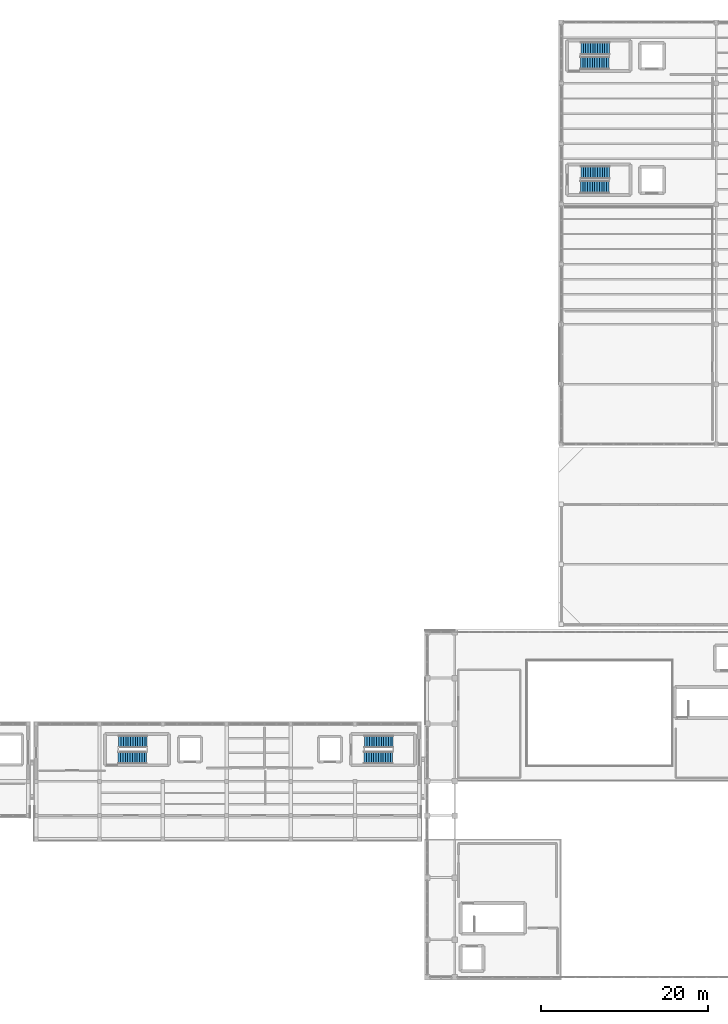
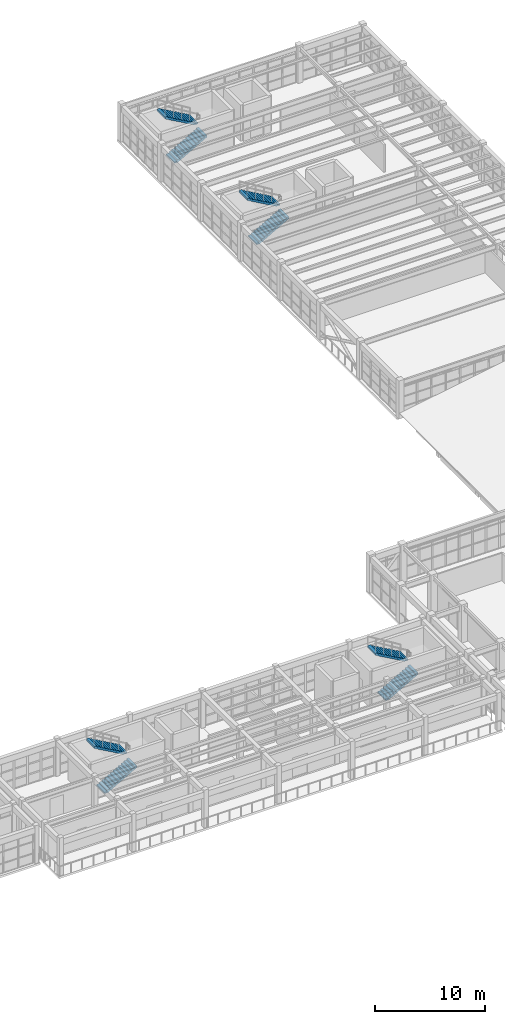
# One storey, part 58 of 66: 8 stair flights, 4 elements without a shape of their own.
"""IFC4 building model written with IfcOpenShell, lengths in metres."""

import ifcopenshell
import ifcopenshell.guid

model = None  # the IFC model being written
_history = None  # IfcOwnerHistory: only IFC2X3 demands one
_inside = {}  # id of a spatial element -> (the spatial element, [elements in it])
_under = {}  # id of a project, library or spatial element -> (it, [spatial elements below it])
_declared = {}  # id of a project -> (the project, [libraries it declares])
_typed = {}  # id of a type object -> (the type object, [elements of that type])
_made_of = {}  # id of a material, layer set ... -> (it, [elements and type objects made of it])


def new_model(schema):
    """Start an empty IFC model of exactly this schema.

    Asked for "IFC4X3", IfcOpenShell would pick the latest addendum, in which some entities
    have other attributes; the version numbers below select the first issue.
    IFC2X3 requires an IfcOwnerHistory on every rooted entity: one is made here for all.
    """
    global model, _history
    if schema == "IFC4X3":
        model = ifcopenshell.file(schema_version=(4, 3, 0, 0))
    else:
        model = ifcopenshell.file(schema=schema)
    _inside.clear()
    _under.clear()
    _declared.clear()
    _typed.clear()
    _made_of.clear()
    _history = None
    if model.schema == "IFC2X3":
        org = make("IfcOrganization", Name="unknown")
        user = make(
            "IfcPersonAndOrganization",
            ThePerson=make("IfcPerson", FamilyName="unknown"),
            TheOrganization=org,
        )
        app = make(
            "IfcApplication",
            ApplicationDeveloper=org,
            Version="unknown",
            ApplicationFullName="unknown",
            ApplicationIdentifier="unknown",
        )
        _history = make(
            "IfcOwnerHistory",
            OwningUser=user,
            OwningApplication=app,
            ChangeAction="ADDED",
            CreationDate=0,
        )
    return model


def make(cls, **values):
    """One entity of the class cls with the attributes given. An attribute that is None is left unset."""
    return model.create_entity(
        cls, **{name: value for name, value in values.items() if value is not None}
    )


def rooted(cls, **values):
    """An entity with a GlobalId (a new one), such as an element, a storey or a relation."""
    return make(cls, GlobalId=ifcopenshell.guid.new(), OwnerHistory=_history, **values)


def si_unit(unit_type, name, prefix=None):
    """IfcSIUnit, for example si_unit("LENGTHUNIT", "METRE", prefix="MILLI")."""
    return make("IfcSIUnit", UnitType=unit_type, Prefix=prefix, Name=name)


def assignment(units):
    """IfcUnitAssignment: the units of a project."""
    return None if units is None else make("IfcUnitAssignment", Units=units)


def point(xyz):
    """IfcCartesianPoint."""
    return None if xyz is None else make("IfcCartesianPoint", Coordinates=xyz)


def direction(xyz):
    """IfcDirection."""
    return None if xyz is None else make("IfcDirection", DirectionRatios=xyz)


def frame(location, z_axis=None, x_axis=None):
    """IfcAxis2Placement3D, a coordinate frame: its origin and axes. An axis left out is left unset."""
    return make(
        "IfcAxis2Placement3D",
        Location=point(location),
        Axis=direction(z_axis),
        RefDirection=direction(x_axis),
    )


def origin():
    """The frame at (0, 0, 0) with its axes left unset."""
    return frame((0.0, 0.0, 0.0))


def place(relative_to, where):
    """IfcLocalPlacement: puts the frame where relative to a parent placement (None: the world)."""
    return make(
        "IfcLocalPlacement", PlacementRelTo=relative_to, RelativePlacement=where
    )


def context(
    kind, dimensions, precision=None, world=None, true_north=None, identifier=None
):
    """IfcGeometricRepresentationContext, for example the 3D "Model" context."""
    return make(
        "IfcGeometricRepresentationContext",
        ContextIdentifier=identifier,
        ContextType=kind,
        CoordinateSpaceDimension=dimensions,
        Precision=precision,
        WorldCoordinateSystem=world,
        TrueNorth=true_north,
    )


def subcontext(parent, identifier, kind, view, scale=None):
    """IfcGeometricRepresentationSubContext, for example "Body" below "Model"."""
    return make(
        "IfcGeometricRepresentationSubContext",
        ContextIdentifier=identifier,
        ContextType=kind,
        ParentContext=parent,
        TargetScale=scale,
        TargetView=view,
    )


def project(units=None, contexts=None):
    """IfcProject with its units and contexts."""
    return rooted(
        "IfcProject",
        Name="project",
        RepresentationContexts=contexts,
        UnitsInContext=assignment(units),
    )


def spatial(cls, under=None, at=None, **own):
    """A site, building, storey or space (cls), placed at a placement, below another one or the project."""
    s = rooted(cls, ObjectPlacement=at, **own)
    if under is not None:
        _under.setdefault(under.id(), (under, []))[1].append(s)
    return s


def polyline(points):
    """IfcPolyline through the points."""
    return make("IfcPolyline", Points=[point(p) for p in points])


def outline(outer, holes=None, kind="AREA"):
    """IfcArbitraryClosedProfileDef: a profile drawn as a closed curve; with holes, ...WithVoids."""
    if holes is None:
        return make("IfcArbitraryClosedProfileDef", ProfileType=kind, OuterCurve=outer)
    return make(
        "IfcArbitraryProfileDefWithVoids",
        ProfileType=kind,
        OuterCurve=outer,
        InnerCurves=holes,
    )


def extrude(swept, where, along, depth):
    """IfcExtrudedAreaSolid: the profile swept, set in the frame where, extruded along a direction by depth."""
    return make(
        "IfcExtrudedAreaSolid",
        SweptArea=swept,
        Position=where,
        ExtrudedDirection=direction(along),
        Depth=depth,
    )


def shape(context_of_items, identifier, shape_type, items):
    """IfcShapeRepresentation: the items that make up one representation, for example the "Body"."""
    return make(
        "IfcShapeRepresentation",
        ContextOfItems=context_of_items,
        RepresentationIdentifier=identifier,
        RepresentationType=shape_type,
        Items=items,
    )


def material(Name=None, Category=None):
    """IfcMaterial."""
    return make("IfcMaterial", Name=Name, Category=Category)


def made_of(thing, what):
    """Note that an element or type object is made of a material, layer set ...; save() writes the relation."""
    if what is not None:
        _made_of.setdefault(what.id(), (what, []))[1].append(thing)
    return thing


def type_object(cls, material=None, **own):
    """A type object (cls), such as IfcWallType, which elements share."""
    return made_of(rooted(cls, **own), material)


def element(
    cls,
    number,
    at=None,
    inside=None,
    cuts=None,
    type_object=None,
    material=None,
    context=None,
    identifier="Body",
    shape_type=None,
    held_by="IfcProductDefinitionShape",
    body=None,
    shapes=None,
    **own,
):
    """One element of the class cls, such as IfcWall. Its Tag is "e" and its number.

    at: its placement. inside: the storey or other place that contains it. cuts: it is an
    opening in that element (IfcRelVoidsElement). A single representation is given by context,
    identifier, shape_type and body (its items); several are given by shapes. held_by: the class
    of the entity that holds the representations. save() writes the other relations.
    """
    e = rooted(cls, Tag="e%d" % number, ObjectPlacement=at, **own)
    if body is not None:
        shapes = [shape(context, identifier, shape_type, body)]
    if shapes is not None:
        e.Representation = make(held_by, Representations=shapes)
    if inside is not None:
        _inside.setdefault(inside.id(), (inside, []))[1].append(e)
    if cuts is not None:
        rooted(
            "IfcRelVoidsElement", RelatingBuildingElement=cuts, RelatedOpeningElement=e
        )
    if type_object is not None:
        _typed.setdefault(type_object.id(), (type_object, []))[1].append(e)
    return made_of(e, material)


def aggregate(whole, parts):
    """IfcRelAggregates: a whole, such as a stair, and the parts it consists of."""
    return rooted("IfcRelAggregates", RelatingObject=whole, RelatedObjects=parts)


def save(model, path):
    """Write the relations noted so far, then the file.

    IfcRelAggregates (storeys below a building ...), IfcRelContainedInSpatialStructure (elements
    in a storey), IfcRelDefinesByType, IfcRelAssociatesMaterial and IfcRelDeclares: one each for
    every whole, place, type object, material and project.
    """
    for whole, parts in _under.values():
        aggregate(whole, parts)
    for where, things in _inside.values():
        rooted(
            "IfcRelContainedInSpatialStructure",
            RelatedElements=things,
            RelatingStructure=where,
        )
    for kind, things in _typed.values():
        rooted("IfcRelDefinesByType", RelatedObjects=things, RelatingType=kind)
    for what, things in _made_of.values():
        rooted("IfcRelAssociatesMaterial", RelatedObjects=things, RelatingMaterial=what)
    for by, libraries in _declared.values():
        rooted("IfcRelDeclares", RelatingContext=by, RelatedDefinitions=libraries)
    model.write(path)


model = new_model("IFC4")

# Units and contexts
model_context = context("Model", 3, precision=1e-05, world=origin(), true_north=direction((0.0, 1.0)))
body_context = subcontext(model_context, "Body", "Model", "MODEL_VIEW")
ifc_project = project(units=[si_unit("LENGTHUNIT", "METRE"), si_unit("AREAUNIT", "SQUARE_METRE"), si_unit("VOLUMEUNIT", "CUBIC_METRE"), si_unit("PLANEANGLEUNIT", "RADIAN"), si_unit("MASSUNIT", "GRAM", prefix="KILO")], contexts=[model_context])

# Site, building, storey
site_placement = place(None, origin())
site = spatial("IfcSite", under=ifc_project, at=site_placement, CompositionType="ELEMENT")
building_placement = place(site_placement, origin())
building = spatial("IfcBuilding", under=site, at=building_placement, Name="Candilejo Ridge Gondola Terminal", CompositionType="ELEMENT")
storey_placement = place(building_placement, frame((0.0, 0.0, 14.39990234375)))
storey = spatial("IfcBuildingStorey", under=building, at=storey_placement, Name="L03", CompositionType="ELEMENT", Elevation=14.39990234375)

# Stair, stair flights
ifc_material_1 = material(Name="Concrete f'c 35 MPa (C35/45)", Category="concrete")
stair_type_1 = type_object("IfcStairType", Name="STR-STAIR-1450-4200", PredefinedType="HALF_TURN_STAIR", material=ifc_material_1)
stair_1_placement = place(storey_placement, origin())
stair_1 = element("IfcStair", 1, at=stair_1_placement, inside=storey, type_object=stair_type_1, Name="Enclosed fire exit stair ST-V3A-L03", PredefinedType="HALF_TURN_STAIR")
ifc_material_2 = material(Name="Concrete f'c 35 MPa (C35/45)", Category="concrete")
stair_flight_type_1 = type_object("IfcStairFlightType", Name="STR-FLIGHT-CORE-1450", PredefinedType="STRAIGHT", material=ifc_material_2)
stair_flight_1_placement = place(storey_placement, frame((96.85009765625, 32.652587890625, 0.0), z_axis=(0.0, 0.0, 1.0), x_axis=(1.0, 0.0, 0.0)))
stair_flight_1 = element("IfcStairFlight", 2, at=stair_flight_1_placement, type_object=stair_flight_type_1, Name="Stair flight ST-V3A-F07", NumberOfRisers=13, NumberOfTreads=12, PredefinedType="STRAIGHT", RiserHeight=0.16154, TreadLength=0.285, context=body_context, shape_type="SweptSolid", body=[
    extrude(outline(polyline([(0.0, 0.0), (0.0, 0.16162109375), (0.284912109375, 0.16162109375), (0.284912109375, 0.322998046875), (0.570068359375, 0.322998046875), (0.570068359375, 0.484619140625), (0.85498046875, 0.484619140625), (0.85498046875, 0.646240234375), (1.139892578125, 0.646240234375), (1.139892578125, 0.8076171875), (1.425048828125, 0.8076171875), (1.425048828125, 0.96923828125), (1.7099609375, 0.96923828125), (1.7099609375, 1.130859375), (1.9951171875, 1.130859375), (1.9951171875, 1.292236328125), (2.280029296875, 1.292236328125), (2.280029296875, 1.453857421875), (2.56494140625, 1.453857421875), (2.56494140625, 1.615478515625), (2.85009765625, 1.615478515625), (2.85009765625, 1.77685546875), (3.135009765625, 1.77685546875), (3.135009765625, 1.9384765625), (3.419921875, 1.9384765625), (3.419921875, 2.10009765625), (3.419921875, 1.731689453125), (0.364990234375, 0.0), (0.0, 0.0)])), frame((0.0, 0.72509765625, 0.0), z_axis=(0.0, -1.0, 0.0), x_axis=(1.0, 0.0, 0.0)), (0.0, 0.0, 1.0), 1.449951171875),
])
stair_flight_2_placement = place(storey_placement, frame((100.330078125, 34.597412109375, 2.10009765625), z_axis=(0.0, 0.0, 1.0), x_axis=(-1.0, 0.0, 0.0)))
stair_flight_2 = element("IfcStairFlight", 3, at=stair_flight_2_placement, type_object=stair_flight_type_1, Name="Stair flight ST-V3A-F08", NumberOfRisers=13, NumberOfTreads=12, PredefinedType="STRAIGHT", RiserHeight=0.16154, TreadLength=0.285, context=body_context, shape_type="SweptSolid", body=[
    extrude(outline(polyline([(0.0, 0.0), (0.0, 0.16162109375), (0.284912109375, 0.16162109375), (0.284912109375, 0.322998046875), (0.570068359375, 0.322998046875), (0.570068359375, 0.484619140625), (0.85498046875, 0.484619140625), (0.85498046875, 0.646240234375), (1.139892578125, 0.646240234375), (1.139892578125, 0.8076171875), (1.425048828125, 0.8076171875), (1.425048828125, 0.96923828125), (1.7099609375, 0.96923828125), (1.7099609375, 1.130859375), (1.9951171875, 1.130859375), (1.9951171875, 1.292236328125), (2.280029296875, 1.292236328125), (2.280029296875, 1.453857421875), (2.56494140625, 1.453857421875), (2.56494140625, 1.615478515625), (2.85009765625, 1.615478515625), (2.85009765625, 1.77685546875), (3.135009765625, 1.77685546875), (3.135009765625, 1.9384765625), (3.419921875, 1.9384765625), (3.419921875, 2.10009765625), (3.419921875, 1.731689453125), (0.364990234375, 0.0), (0.0, 0.0)])), frame((0.0, 0.72509765625, 0.0), z_axis=(0.0, -1.0, 0.0), x_axis=(1.0, 0.0, 0.0)), (0.0, 0.0, 1.0), 1.449951171875),
])
aggregate(stair_1, [stair_flight_1, stair_flight_2])

stair_2_placement = place(storey_placement, origin())
stair_2 = element("IfcStair", 4, at=stair_2_placement, inside=storey, type_object=stair_type_1, Name="Enclosed fire exit stair ST-V3B-L03", PredefinedType="HALF_TURN_STAIR")
stair_flight_3_placement = place(storey_placement, frame((126.35009765625, 32.652587890625, 0.0), z_axis=(0.0, 0.0, 1.0), x_axis=(1.0, 0.0, 0.0)))
stair_flight_3 = element("IfcStairFlight", 5, at=stair_flight_3_placement, type_object=stair_flight_type_1, Name="Stair flight ST-V3B-F07", NumberOfRisers=13, NumberOfTreads=12, PredefinedType="STRAIGHT", RiserHeight=0.16154, TreadLength=0.285, context=body_context, shape_type="SweptSolid", body=[
    extrude(outline(polyline([(0.0, 0.0), (0.0, 0.16162109375), (0.284912109375, 0.16162109375), (0.284912109375, 0.322998046875), (0.570068359375, 0.322998046875), (0.570068359375, 0.484619140625), (0.85498046875, 0.484619140625), (0.85498046875, 0.646240234375), (1.139892578125, 0.646240234375), (1.139892578125, 0.8076171875), (1.425048828125, 0.8076171875), (1.425048828125, 0.96923828125), (1.7099609375, 0.96923828125), (1.7099609375, 1.130859375), (1.9951171875, 1.130859375), (1.9951171875, 1.292236328125), (2.280029296875, 1.292236328125), (2.280029296875, 1.453857421875), (2.56494140625, 1.453857421875), (2.56494140625, 1.615478515625), (2.85009765625, 1.615478515625), (2.85009765625, 1.77685546875), (3.135009765625, 1.77685546875), (3.135009765625, 1.9384765625), (3.419921875, 1.9384765625), (3.419921875, 2.10009765625), (3.419921875, 1.731689453125), (0.364990234375, 0.0), (0.0, 0.0)])), frame((0.0, 0.72509765625, 0.0), z_axis=(0.0, -1.0, 0.0), x_axis=(1.0, 0.0, 0.0)), (0.0, 0.0, 1.0), 1.449951171875),
])
stair_flight_4_placement = place(storey_placement, frame((129.830078125, 34.597412109375, 2.10009765625), z_axis=(0.0, 0.0, 1.0), x_axis=(-1.0, 0.0, 0.0)))
stair_flight_4 = element("IfcStairFlight", 6, at=stair_flight_4_placement, type_object=stair_flight_type_1, Name="Stair flight ST-V3B-F08", NumberOfRisers=13, NumberOfTreads=12, PredefinedType="STRAIGHT", RiserHeight=0.16154, TreadLength=0.285, context=body_context, shape_type="SweptSolid", body=[
    extrude(outline(polyline([(0.0, 0.0), (0.0, 0.16162109375), (0.284912109375, 0.16162109375), (0.284912109375, 0.322998046875), (0.570068359375, 0.322998046875), (0.570068359375, 0.484619140625), (0.85498046875, 0.484619140625), (0.85498046875, 0.646240234375), (1.139892578125, 0.646240234375), (1.139892578125, 0.8076171875), (1.425048828125, 0.8076171875), (1.425048828125, 0.96923828125), (1.7099609375, 0.96923828125), (1.7099609375, 1.130859375), (1.9951171875, 1.130859375), (1.9951171875, 1.292236328125), (2.280029296875, 1.292236328125), (2.280029296875, 1.453857421875), (2.56494140625, 1.453857421875), (2.56494140625, 1.615478515625), (2.85009765625, 1.615478515625), (2.85009765625, 1.77685546875), (3.135009765625, 1.77685546875), (3.135009765625, 1.9384765625), (3.419921875, 1.9384765625), (3.419921875, 2.10009765625), (3.419921875, 1.731689453125), (0.364990234375, 0.0), (0.0, 0.0)])), frame((0.0, 0.72509765625, 0.0), z_axis=(0.0, -1.0, 0.0), x_axis=(1.0, 0.0, 0.0)), (0.0, 0.0, 1.0), 1.449951171875),
])
aggregate(stair_2, [stair_flight_3, stair_flight_4])

ifc_material_3 = material(Name="Concrete f'c 35 MPa (C35/45)", Category="concrete")
stair_type_2 = type_object("IfcStairType", Name="STR-STAIR-1500-4200", PredefinedType="HALF_TURN_STAIR", material=ifc_material_3)
stair_3_placement = place(storey_placement, origin())
stair_3 = element("IfcStair", 7, at=stair_3_placement, inside=storey, type_object=stair_type_2, Name="Enclosed fire exit stair ST-V5A-L03", PredefinedType="HALF_TURN_STAIR")
ifc_material_4 = material(Name="Concrete f'c 35 MPa (C35/45)", Category="concrete")
stair_flight_type_2 = type_object("IfcStairFlightType", Name="STR-FLIGHT-CORE-1500", PredefinedType="STRAIGHT", material=ifc_material_4)
stair_flight_5_placement = place(storey_placement, frame((152.300048828125, 101.090087890625, 0.0), z_axis=(0.0, 0.0, 1.0), x_axis=(1.0, 0.0, 0.0)))
stair_flight_5 = element("IfcStairFlight", 8, at=stair_flight_5_placement, type_object=stair_flight_type_2, Name="Stair flight ST-V5A-F05", NumberOfRisers=13, NumberOfTreads=12, PredefinedType="STRAIGHT", RiserHeight=0.16154, TreadLength=0.285, context=body_context, shape_type="SweptSolid", body=[
    extrude(outline(polyline([(0.0, 0.0), (0.0, 0.16162109375), (0.284912109375, 0.16162109375), (0.284912109375, 0.322998046875), (0.570068359375, 0.322998046875), (0.570068359375, 0.484619140625), (0.85498046875, 0.484619140625), (0.85498046875, 0.646240234375), (1.139892578125, 0.646240234375), (1.139892578125, 0.8076171875), (1.425048828125, 0.8076171875), (1.425048828125, 0.96923828125), (1.7099609375, 0.96923828125), (1.7099609375, 1.130859375), (1.9951171875, 1.130859375), (1.9951171875, 1.292236328125), (2.280029296875, 1.292236328125), (2.280029296875, 1.453857421875), (2.56494140625, 1.453857421875), (2.56494140625, 1.615478515625), (2.85009765625, 1.615478515625), (2.85009765625, 1.77685546875), (3.135009765625, 1.77685546875), (3.135009765625, 1.9384765625), (3.419921875, 1.9384765625), (3.419921875, 2.10009765625), (3.419921875, 1.731689453125), (0.364990234375, 0.0), (0.0, 0.0)])), frame((0.0, 0.75, 0.0), z_axis=(0.0, -1.0, 0.0), x_axis=(1.0, 0.0, 0.0)), (0.0, 0.0, 1.0), 1.5),
])
stair_flight_6_placement = place(storey_placement, frame((155.780029296875, 102.860107421875, 2.10009765625), z_axis=(0.0, 0.0, 1.0), x_axis=(-1.0, 0.0, 0.0)))
stair_flight_6 = element("IfcStairFlight", 9, at=stair_flight_6_placement, type_object=stair_flight_type_2, Name="Stair flight ST-V5A-F06", NumberOfRisers=13, NumberOfTreads=12, PredefinedType="STRAIGHT", RiserHeight=0.16154, TreadLength=0.285, context=body_context, shape_type="SweptSolid", body=[
    extrude(outline(polyline([(0.0, 0.0), (0.0, 0.16162109375), (0.284912109375, 0.16162109375), (0.284912109375, 0.322998046875), (0.570068359375, 0.322998046875), (0.570068359375, 0.484619140625), (0.85498046875, 0.484619140625), (0.85498046875, 0.646240234375), (1.139892578125, 0.646240234375), (1.139892578125, 0.8076171875), (1.425048828125, 0.8076171875), (1.425048828125, 0.96923828125), (1.7099609375, 0.96923828125), (1.7099609375, 1.130859375), (1.9951171875, 1.130859375), (1.9951171875, 1.292236328125), (2.280029296875, 1.292236328125), (2.280029296875, 1.453857421875), (2.56494140625, 1.453857421875), (2.56494140625, 1.615478515625), (2.85009765625, 1.615478515625), (2.85009765625, 1.77685546875), (3.135009765625, 1.77685546875), (3.135009765625, 1.9384765625), (3.419921875, 1.9384765625), (3.419921875, 2.10009765625), (3.419921875, 1.731689453125), (0.364990234375, 0.0), (0.0, 0.0)])), frame((0.0, 0.75, 0.0), z_axis=(0.0, -1.0, 0.0), x_axis=(1.0, 0.0, 0.0)), (0.0, 0.0, 1.0), 1.5),
])
aggregate(stair_3, [stair_flight_5, stair_flight_6])

stair_4_placement = place(storey_placement, origin())
stair_4 = element("IfcStair", 10, at=stair_4_placement, inside=storey, type_object=stair_type_2, Name="Enclosed fire exit stair ST-V5B-L03", PredefinedType="HALF_TURN_STAIR")
stair_flight_7_placement = place(storey_placement, frame((152.300048828125, 115.989990234375, 0.0), z_axis=(0.0, 0.0, 1.0), x_axis=(1.0, 0.0, 0.0)))
stair_flight_7 = element("IfcStairFlight", 11, at=stair_flight_7_placement, type_object=stair_flight_type_2, Name="Stair flight ST-V5B-F05", NumberOfRisers=13, NumberOfTreads=12, PredefinedType="STRAIGHT", RiserHeight=0.16154, TreadLength=0.285, context=body_context, shape_type="SweptSolid", body=[
    extrude(outline(polyline([(0.0, 0.0), (0.0, 0.16162109375), (0.284912109375, 0.16162109375), (0.284912109375, 0.322998046875), (0.570068359375, 0.322998046875), (0.570068359375, 0.484619140625), (0.85498046875, 0.484619140625), (0.85498046875, 0.646240234375), (1.139892578125, 0.646240234375), (1.139892578125, 0.8076171875), (1.425048828125, 0.8076171875), (1.425048828125, 0.96923828125), (1.7099609375, 0.96923828125), (1.7099609375, 1.130859375), (1.9951171875, 1.130859375), (1.9951171875, 1.292236328125), (2.280029296875, 1.292236328125), (2.280029296875, 1.453857421875), (2.56494140625, 1.453857421875), (2.56494140625, 1.615478515625), (2.85009765625, 1.615478515625), (2.85009765625, 1.77685546875), (3.135009765625, 1.77685546875), (3.135009765625, 1.9384765625), (3.419921875, 1.9384765625), (3.419921875, 2.10009765625), (3.419921875, 1.731689453125), (0.364990234375, 0.0), (0.0, 0.0)])), frame((0.0, 0.75, 0.0), z_axis=(0.0, -1.0, 0.0), x_axis=(1.0, 0.0, 0.0)), (0.0, 0.0, 1.0), 1.5),
])
stair_flight_8_placement = place(storey_placement, frame((155.780029296875, 117.760009765625, 2.10009765625), z_axis=(0.0, 0.0, 1.0), x_axis=(-1.0, 0.0, 0.0)))
stair_flight_8 = element("IfcStairFlight", 12, at=stair_flight_8_placement, type_object=stair_flight_type_2, Name="Stair flight ST-V5B-F06", NumberOfRisers=13, NumberOfTreads=12, PredefinedType="STRAIGHT", RiserHeight=0.16154, TreadLength=0.285, context=body_context, shape_type="SweptSolid", body=[
    extrude(outline(polyline([(0.0, 0.0), (0.0, 0.16162109375), (0.284912109375, 0.16162109375), (0.284912109375, 0.322998046875), (0.570068359375, 0.322998046875), (0.570068359375, 0.484619140625), (0.85498046875, 0.484619140625), (0.85498046875, 0.646240234375), (1.139892578125, 0.646240234375), (1.139892578125, 0.8076171875), (1.425048828125, 0.8076171875), (1.425048828125, 0.96923828125), (1.7099609375, 0.96923828125), (1.7099609375, 1.130859375), (1.9951171875, 1.130859375), (1.9951171875, 1.292236328125), (2.280029296875, 1.292236328125), (2.280029296875, 1.453857421875), (2.56494140625, 1.453857421875), (2.56494140625, 1.615478515625), (2.85009765625, 1.615478515625), (2.85009765625, 1.77685546875), (3.135009765625, 1.77685546875), (3.135009765625, 1.9384765625), (3.419921875, 1.9384765625), (3.419921875, 2.10009765625), (3.419921875, 1.731689453125), (0.364990234375, 0.0), (0.0, 0.0)])), frame((0.0, 0.75, 0.0), z_axis=(0.0, -1.0, 0.0), x_axis=(1.0, 0.0, 0.0)), (0.0, 0.0, 1.0), 1.5),
])
aggregate(stair_4, [stair_flight_7, stair_flight_8])

save(model, "model.ifc")
